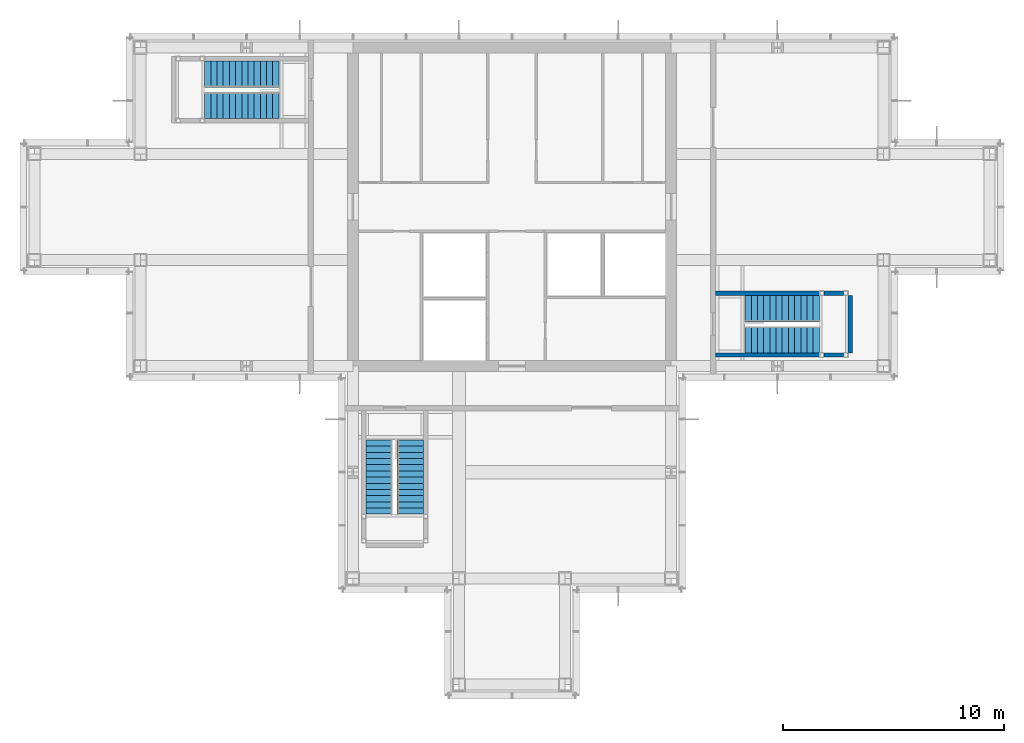
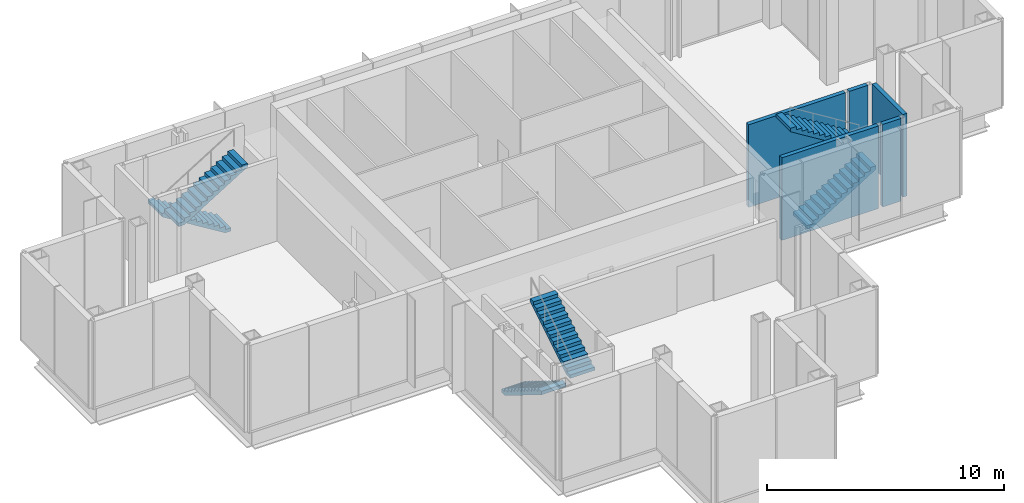
# One storey, part 11 of 12: 6 stair flights, 5 walls, 3 elements without a shape of their own.
"""IFC4 building model written with IfcOpenShell, lengths in metres."""

from ifc_helpers import new_model, si_unit, direction, frame, frame_2d, origin, place, context, subcontext, project, spatial, polyline, rectangle, outline, extrude, material, layer, layer_set, type_object, element, aggregate, save


model = new_model("IFC4")

# Units and contexts
model_context = context("Model", 3, precision=1e-05, world=origin(), true_north=direction((0.0, 1.0)))
body_context = subcontext(model_context, "Body", "Model", "MODEL_VIEW")
ifc_project = project(units=[si_unit("LENGTHUNIT", "METRE"), si_unit("AREAUNIT", "SQUARE_METRE"), si_unit("VOLUMEUNIT", "CUBIC_METRE"), si_unit("PLANEANGLEUNIT", "RADIAN"), si_unit("MASSUNIT", "GRAM", prefix="KILO")], contexts=[model_context])

# Site, building, storey
site_placement = place(None, origin())
site = spatial("IfcSite", under=ifc_project, at=site_placement, CompositionType="ELEMENT")
building_placement = place(site_placement, origin())
building = spatial("IfcBuilding", under=site, at=building_placement, Name="Kvirike Care Tower", CompositionType="ELEMENT")
storey_placement = place(building_placement, frame((0.0, 0.0, 243.5)))
storey = spatial("IfcBuildingStorey", under=building, at=storey_placement, Name="L67", CompositionType="ELEMENT", Elevation=243.5)

# Walls
ifc_material_1 = material(Name="Concrete C40/50", Category="concrete")
ifc_layer = layer(ifc_material_1, 0.199951171875)
ifc_layer_set = layer_set([ifc_layer], Name="STAIR WALL 200")
wall_type = type_object("IfcWallType", Name="STAIR WALL 200", PredefinedType="SOLIDWALL", material=ifc_layer_set)
wall_1_placement = place(storey_placement, frame((36.60009765625, 29.300048828125, 0.0), z_axis=(0.0, 0.0, 1.0), x_axis=(-1.0, 0.0, 0.0)))
element("IfcWall", 1, at=wall_1_placement, inside=storey, type_object=wall_type, Name="Stair Wall 200 L67", PredefinedType="SOLIDWALL", context=body_context, shape_type="SweptSolid", body=[
    extrude(rectangle(XDim=0.900146484375, YDim=0.199951171875, at=frame_2d((0.4501953125, 0.0))), origin(), (0.0, 0.0, 1.0), 4.25),
])
wall_2_placement = place(storey_placement, frame((35.5, 29.300048828125, 0.0), z_axis=(0.0, 0.0, 1.0), x_axis=(-1.0, 0.0, 0.0)))
element("IfcWall", 2, at=wall_2_placement, inside=storey, type_object=wall_type, Name="Stair Wall 200 L67", PredefinedType="SOLIDWALL", context=body_context, shape_type="SweptSolid", body=[
    extrude(rectangle(XDim=4.699951171875, YDim=0.199951171875, at=frame_2d((2.35009765625, 0.0))), origin(), (0.0, 0.0, 1.0), 4.25),
])
wall_3_placement = place(storey_placement, frame((36.60009765625, 32.10009765625, 0.0), z_axis=(0.0, 0.0, 1.0), x_axis=(-1.0, 0.0, 0.0)))
element("IfcWall", 3, at=wall_3_placement, inside=storey, type_object=wall_type, Name="Stair Wall 200 L67", PredefinedType="SOLIDWALL", context=body_context, shape_type="SweptSolid", body=[
    extrude(rectangle(XDim=0.900146484375, YDim=0.199951171875, at=frame_2d((0.4501953125, 0.0))), origin(), (0.0, 0.0, 1.0), 4.25),
])
wall_4_placement = place(storey_placement, frame((35.5, 32.10009765625, 0.0), z_axis=(0.0, 0.0, 1.0), x_axis=(-1.0, 0.0, 0.0)))
element("IfcWall", 4, at=wall_4_placement, inside=storey, type_object=wall_type, Name="Stair Wall 200 L67", PredefinedType="SOLIDWALL", context=body_context, shape_type="SweptSolid", body=[
    extrude(rectangle(XDim=4.699951171875, YDim=0.199951171875, at=frame_2d((2.35009765625, 0.0))), origin(), (0.0, 0.0, 1.0), 4.25),
])
wall_5_placement = place(storey_placement, frame((36.89990234375, 29.39990234375, 0.0), z_axis=(0.0, 0.0, 1.0), x_axis=(0.0, 1.0, 0.0)))
element("IfcWall", 5, at=wall_5_placement, inside=storey, type_object=wall_type, Name="Stair Wall 200 L67", PredefinedType="SOLIDWALL", context=body_context, shape_type="SweptSolid", body=[
    extrude(rectangle(XDim=2.60009765625, YDim=0.199951171875, at=frame_2d((1.300048828125, 0.0))), origin(), (0.0, 0.0, 1.0), 4.25),
])

# Stair, stair flights
ifc_material_2 = material(Name="Concrete C35/45", Category="concrete")
stair_type = type_object("IfcStairType", Name="STAIR 26 RISERS", PredefinedType="HALF_TURN_STAIR", material=ifc_material_2)
stair_1_placement = place(storey_placement, origin())
stair_1 = element("IfcStair", 6, at=stair_1_placement, inside=storey, type_object=stair_type, Name="Stair 1 L67", PredefinedType="HALF_TURN_STAIR")
ifc_material_3 = material(Name="Concrete C35/45", Category="concrete")
stair_flight_type = type_object("IfcStairFlightType", Name="FLIGHT 13 RISERS", PredefinedType="STRAIGHT", material=ifc_material_3)
stair_flight_1_placement = place(storey_placement, frame((11.06005859375, 42.0, 0.0), z_axis=(0.0, 0.0, 1.0), x_axis=(-1.0, 0.0, 0.0)))
stair_flight_1 = element("IfcStairFlight", 7, at=stair_flight_1_placement, type_object=stair_flight_type, Name="Stair S1 flight 1 L67-L68", NumberOfRisers=13, NumberOfTreads=12, PredefinedType="STRAIGHT", RiserHeight=0.173076923, TreadLength=0.28, context=body_context, shape_type="SweptSolid", body=[
    extrude(outline(polyline([(0.0, 0.0), (0.0, 0.173095703125), (0.280029296875, 0.173095703125), (0.280029296875, 0.34619140625), (0.56005859375, 0.34619140625), (0.56005859375, 0.519287109375), (0.840087890625, 0.519287109375), (0.840087890625, 0.6923828125), (1.1201171875, 0.6923828125), (1.1201171875, 0.865478515625), (1.39990234375, 0.865478515625), (1.39990234375, 1.03857421875), (1.679931640625, 1.03857421875), (1.679931640625, 1.21142578125), (1.9599609375, 1.21142578125), (1.9599609375, 1.384521484375), (2.239990234375, 1.384521484375), (2.239990234375, 1.5576171875), (2.52001953125, 1.5576171875), (2.52001953125, 1.730712890625), (2.800048828125, 1.730712890625), (2.800048828125, 1.90380859375), (3.080078125, 1.90380859375), (3.080078125, 2.076904296875), (3.360107421875, 2.076904296875), (3.360107421875, 2.25), (3.360107421875, 1.900634765625), (0.28515625, 0.0), (0.0, 0.0)])), frame((0.0, 0.60009765625, 0.0), z_axis=(0.0, -1.0, 0.0), x_axis=(1.0, 0.0, 0.0)), (0.0, 0.0, 1.0), 1.199951171875),
])
stair_flight_2_placement = place(storey_placement, frame((7.699951171875, 40.60009765625, 2.25), z_axis=(0.0, 0.0, 1.0), x_axis=(1.0, 0.0, 0.0)))
stair_flight_2 = element("IfcStairFlight", 8, at=stair_flight_2_placement, type_object=stair_flight_type, Name="Stair S1 flight 2 L67-L68", NumberOfRisers=13, NumberOfTreads=12, PredefinedType="STRAIGHT", RiserHeight=0.173076923, TreadLength=0.28, context=body_context, shape_type="SweptSolid", body=[
    extrude(outline(polyline([(0.0, 0.0), (0.0, 0.173095703125), (0.280029296875, 0.173095703125), (0.280029296875, 0.34619140625), (0.56005859375, 0.34619140625), (0.56005859375, 0.519287109375), (0.840087890625, 0.519287109375), (0.840087890625, 0.6923828125), (1.1201171875, 0.6923828125), (1.1201171875, 0.865478515625), (1.39990234375, 0.865478515625), (1.39990234375, 1.03857421875), (1.679931640625, 1.03857421875), (1.679931640625, 1.21142578125), (1.9599609375, 1.21142578125), (1.9599609375, 1.384521484375), (2.239990234375, 1.384521484375), (2.239990234375, 1.5576171875), (2.52001953125, 1.5576171875), (2.52001953125, 1.730712890625), (2.800048828125, 1.730712890625), (2.800048828125, 1.90380859375), (3.080078125, 1.90380859375), (3.080078125, 2.076904296875), (3.360107421875, 2.076904296875), (3.360107421875, 2.25), (3.360107421875, 1.900634765625), (0.28515625, 0.0), (0.0, 0.0)])), frame((0.0, 0.60009765625, 0.0), z_axis=(0.0, -1.0, 0.0), x_axis=(1.0, 0.0, 0.0)), (0.0, 0.0, 1.0), 1.199951171875),
])
aggregate(stair_1, [stair_flight_1, stair_flight_2])

stair_2_placement = place(storey_placement, origin())
stair_2 = element("IfcStair", 9, at=stair_2_placement, inside=storey, type_object=stair_type, Name="Stair 2 L67", PredefinedType="HALF_TURN_STAIR")
stair_flight_3_placement = place(storey_placement, frame((32.139892578125, 30.0, 0.0), z_axis=(0.0, 0.0, 1.0), x_axis=(1.0, 0.0, 0.0)))
stair_flight_3 = element("IfcStairFlight", 10, at=stair_flight_3_placement, type_object=stair_flight_type, Name="Stair S2 flight 1 L67-L68", NumberOfRisers=13, NumberOfTreads=12, PredefinedType="STRAIGHT", RiserHeight=0.173076923, TreadLength=0.28, context=body_context, shape_type="SweptSolid", body=[
    extrude(outline(polyline([(0.0, 0.0), (0.0, 0.173095703125), (0.280029296875, 0.173095703125), (0.280029296875, 0.34619140625), (0.56005859375, 0.34619140625), (0.56005859375, 0.519287109375), (0.840087890625, 0.519287109375), (0.840087890625, 0.6923828125), (1.1201171875, 0.6923828125), (1.1201171875, 0.865478515625), (1.39990234375, 0.865478515625), (1.39990234375, 1.03857421875), (1.679931640625, 1.03857421875), (1.679931640625, 1.21142578125), (1.9599609375, 1.21142578125), (1.9599609375, 1.384521484375), (2.239990234375, 1.384521484375), (2.239990234375, 1.5576171875), (2.52001953125, 1.5576171875), (2.52001953125, 1.730712890625), (2.800048828125, 1.730712890625), (2.800048828125, 1.90380859375), (3.080078125, 1.90380859375), (3.080078125, 2.076904296875), (3.360107421875, 2.076904296875), (3.360107421875, 2.25), (3.360107421875, 1.900634765625), (0.28515625, 0.0), (0.0, 0.0)])), frame((0.0, 0.60009765625, 0.0), z_axis=(0.0, -1.0, 0.0), x_axis=(1.0, 0.0, 0.0)), (0.0, 0.0, 1.0), 1.199951171875),
])
stair_flight_4_placement = place(storey_placement, frame((35.5, 31.39990234375, 2.25), z_axis=(0.0, 0.0, 1.0), x_axis=(-1.0, 0.0, 0.0)))
stair_flight_4 = element("IfcStairFlight", 11, at=stair_flight_4_placement, type_object=stair_flight_type, Name="Stair S2 flight 2 L67-L68", NumberOfRisers=13, NumberOfTreads=12, PredefinedType="STRAIGHT", RiserHeight=0.173076923, TreadLength=0.28, context=body_context, shape_type="SweptSolid", body=[
    extrude(outline(polyline([(0.0, 0.0), (0.0, 0.173095703125), (0.280029296875, 0.173095703125), (0.280029296875, 0.34619140625), (0.56005859375, 0.34619140625), (0.56005859375, 0.519287109375), (0.840087890625, 0.519287109375), (0.840087890625, 0.6923828125), (1.1201171875, 0.6923828125), (1.1201171875, 0.865478515625), (1.39990234375, 0.865478515625), (1.39990234375, 1.03857421875), (1.679931640625, 1.03857421875), (1.679931640625, 1.21142578125), (1.9599609375, 1.21142578125), (1.9599609375, 1.384521484375), (2.239990234375, 1.384521484375), (2.239990234375, 1.5576171875), (2.52001953125, 1.5576171875), (2.52001953125, 1.730712890625), (2.800048828125, 1.730712890625), (2.800048828125, 1.90380859375), (3.080078125, 1.90380859375), (3.080078125, 2.076904296875), (3.360107421875, 2.076904296875), (3.360107421875, 2.25), (3.360107421875, 1.900634765625), (0.28515625, 0.0), (0.0, 0.0)])), frame((0.0, 0.60009765625, 0.0), z_axis=(0.0, -1.0, 0.0), x_axis=(1.0, 0.0, 0.0)), (0.0, 0.0, 1.0), 1.199951171875),
])
aggregate(stair_2, [stair_flight_3, stair_flight_4])

stair_3_placement = place(storey_placement, origin())
stair_3 = element("IfcStair", 12, at=stair_3_placement, inside=storey, type_object=stair_type, Name="Stair 5 L67", PredefinedType="HALF_TURN_STAIR")
stair_flight_5_placement = place(storey_placement, frame((15.60009765625, 25.4599609375, 0.0), z_axis=(0.0, 0.0, 1.0), x_axis=(0.0, -1.0, 0.0)))
stair_flight_5 = element("IfcStairFlight", 13, at=stair_flight_5_placement, type_object=stair_flight_type, Name="Stair S5 flight 1 L67-L68", NumberOfRisers=13, NumberOfTreads=12, PredefinedType="STRAIGHT", RiserHeight=0.173076923, TreadLength=0.28, context=body_context, shape_type="SweptSolid", body=[
    extrude(outline(polyline([(0.0, 0.0), (0.0, 0.173095703125), (0.280029296875, 0.173095703125), (0.280029296875, 0.34619140625), (0.56005859375, 0.34619140625), (0.56005859375, 0.519287109375), (0.840087890625, 0.519287109375), (0.840087890625, 0.6923828125), (1.1201171875, 0.6923828125), (1.1201171875, 0.865478515625), (1.39990234375, 0.865478515625), (1.39990234375, 1.03857421875), (1.679931640625, 1.03857421875), (1.679931640625, 1.21142578125), (1.9599609375, 1.21142578125), (1.9599609375, 1.384521484375), (2.239990234375, 1.384521484375), (2.239990234375, 1.5576171875), (2.52001953125, 1.5576171875), (2.52001953125, 1.730712890625), (2.800048828125, 1.730712890625), (2.800048828125, 1.90380859375), (3.080078125, 1.90380859375), (3.080078125, 2.076904296875), (3.360107421875, 2.076904296875), (3.360107421875, 2.25), (3.360107421875, 1.900634765625), (0.28515625, 0.0), (0.0, 0.0)])), frame((0.0, 0.60009765625, 0.0), z_axis=(0.0, -1.0, 0.0), x_axis=(1.0, 0.0, 0.0)), (0.0, 0.0, 1.0), 1.199951171875),
])
stair_flight_6_placement = place(storey_placement, frame((17.0, 22.10009765625, 2.25), z_axis=(0.0, 0.0, 1.0), x_axis=(0.0, 1.0, 0.0)))
stair_flight_6 = element("IfcStairFlight", 14, at=stair_flight_6_placement, type_object=stair_flight_type, Name="Stair S5 flight 2 L67-L68", NumberOfRisers=13, NumberOfTreads=12, PredefinedType="STRAIGHT", RiserHeight=0.173076923, TreadLength=0.28, context=body_context, shape_type="SweptSolid", body=[
    extrude(outline(polyline([(0.0, 0.0), (0.0, 0.173095703125), (0.280029296875, 0.173095703125), (0.280029296875, 0.34619140625), (0.56005859375, 0.34619140625), (0.56005859375, 0.519287109375), (0.840087890625, 0.519287109375), (0.840087890625, 0.6923828125), (1.1201171875, 0.6923828125), (1.1201171875, 0.865478515625), (1.39990234375, 0.865478515625), (1.39990234375, 1.03857421875), (1.679931640625, 1.03857421875), (1.679931640625, 1.21142578125), (1.9599609375, 1.21142578125), (1.9599609375, 1.384521484375), (2.239990234375, 1.384521484375), (2.239990234375, 1.5576171875), (2.52001953125, 1.5576171875), (2.52001953125, 1.730712890625), (2.800048828125, 1.730712890625), (2.800048828125, 1.90380859375), (3.080078125, 1.90380859375), (3.080078125, 2.076904296875), (3.360107421875, 2.076904296875), (3.360107421875, 2.25), (3.360107421875, 1.900634765625), (0.28515625, 0.0), (0.0, 0.0)])), frame((0.0, 0.60009765625, 0.0), z_axis=(0.0, -1.0, 0.0), x_axis=(1.0, 0.0, 0.0)), (0.0, 0.0, 1.0), 1.199951171875),
])
aggregate(stair_3, [stair_flight_5, stair_flight_6])

save(model, "model.ifc")
